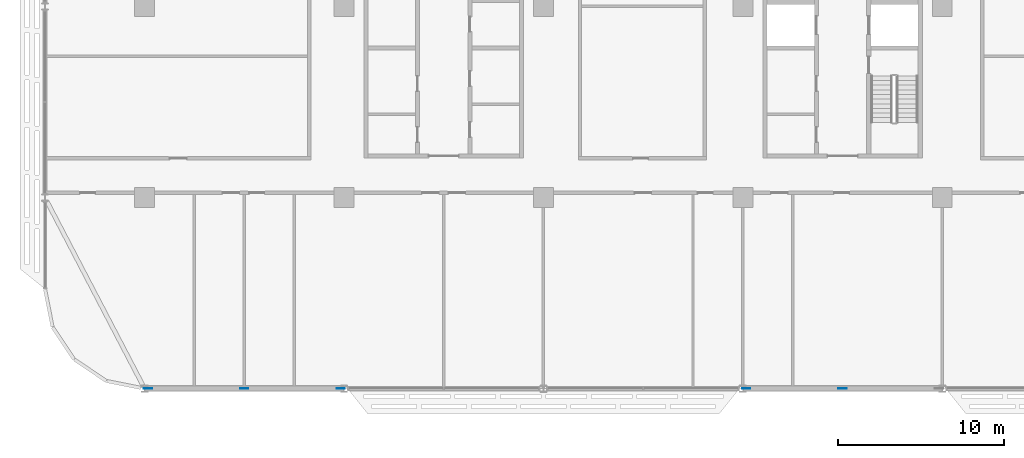
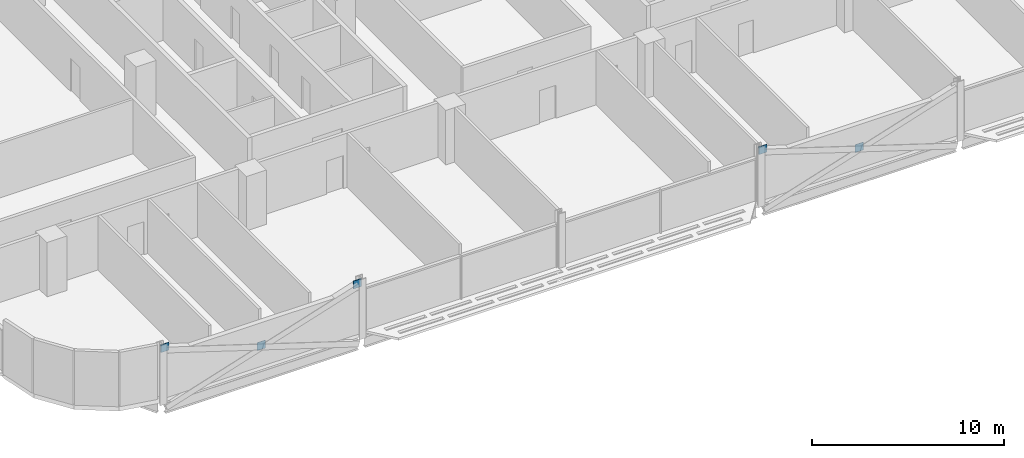
# One storey, part 17 of 27: 5 discrete accessories.
"""IFC4 building model written with IfcOpenShell, lengths in metres."""

from ifc_helpers import new_model, si_unit, direction, frame, origin, origin_2d, place, context, subcontext, project, spatial, rectangle, extrude, material, layer, layer_set, type_object, element, save


model = new_model("IFC4")

# Units and contexts
model_context = context("Model", 3, precision=1e-05, world=origin(), true_north=direction((0.0, 1.0)))
body_context = subcontext(model_context, "Body", "Model", "MODEL_VIEW")
ifc_project = project(units=[si_unit("LENGTHUNIT", "METRE"), si_unit("AREAUNIT", "SQUARE_METRE"), si_unit("VOLUMEUNIT", "CUBIC_METRE"), si_unit("PLANEANGLEUNIT", "RADIAN"), si_unit("MASSUNIT", "GRAM", prefix="KILO")], contexts=[model_context])

# Site, building, storey
site_placement = place(None, origin())
site = spatial("IfcSite", under=ifc_project, at=site_placement, CompositionType="ELEMENT")
building_placement = place(site_placement, origin())
building = spatial("IfcBuilding", under=site, at=building_placement, Name="Mahtab Terrace Research Tower", CompositionType="ELEMENT")
storey_placement = place(building_placement, frame((0.0, 0.0, 182.0)))
storey = spatial("IfcBuildingStorey", under=building, at=storey_placement, Name="L43", CompositionType="ELEMENT", Elevation=182.0)

# Discrete accessories
ifc_material = material(Name="Steel ASTM A992 Gr 50", Category="steel")
ifc_layer = layer(ifc_material, 0.030029296875)
ifc_layer_set = layer_set([ifc_layer], Name="Gusset plate 500x500x30")
discrete_accessory_type = type_object("IfcDiscreteAccessoryType", Name="Gusset plate 500x500x30", PredefinedType="USERDEFINED", material=ifc_layer_set)
for number, where, z_axis, x_axis, name in (
    (1, (-41.796875, -23.0, 2.870361328125), (0.0, 0.0, 1.0), (1.0, 0.0, 0.0), "Gusset plate"),
    (2, (-36.0, -23.0, 0.970947265625), (0.0, 0.0, 1.0), (1.0, 0.0, 0.0), "Gusset plate"),
    (3, (-30.203125, -23.0, 2.870361328125), (0.0, 0.0, 1.0), (1.0, 0.0, 0.0), "Gusset plate"),
    (4, (-5.796875, -23.0, 2.870361328125), (0.0, 0.0, 1.0), (1.0, 0.0, 0.0), "Gusset plate"),
    (5, (0.0, -23.0, 0.970947265625), (0.0, 0.0, 1.0), (1.0, 0.0, 0.0), "Gusset plate"),
):
    element("IfcDiscreteAccessory", number, at=place(storey_placement, frame(where, z_axis=z_axis, x_axis=x_axis)), inside=storey, type_object=discrete_accessory_type, Name=name, ObjectType="GUSSET PLATE", PredefinedType="USERDEFINED", context=body_context, shape_type="SweptSolid", body=[
        extrude(rectangle(XDim=0.5, YDim=0.030029296875, at=origin_2d()), origin(), (0.0, 0.0, 1.0), 0.5),
    ])

save(model, "model.ifc")
